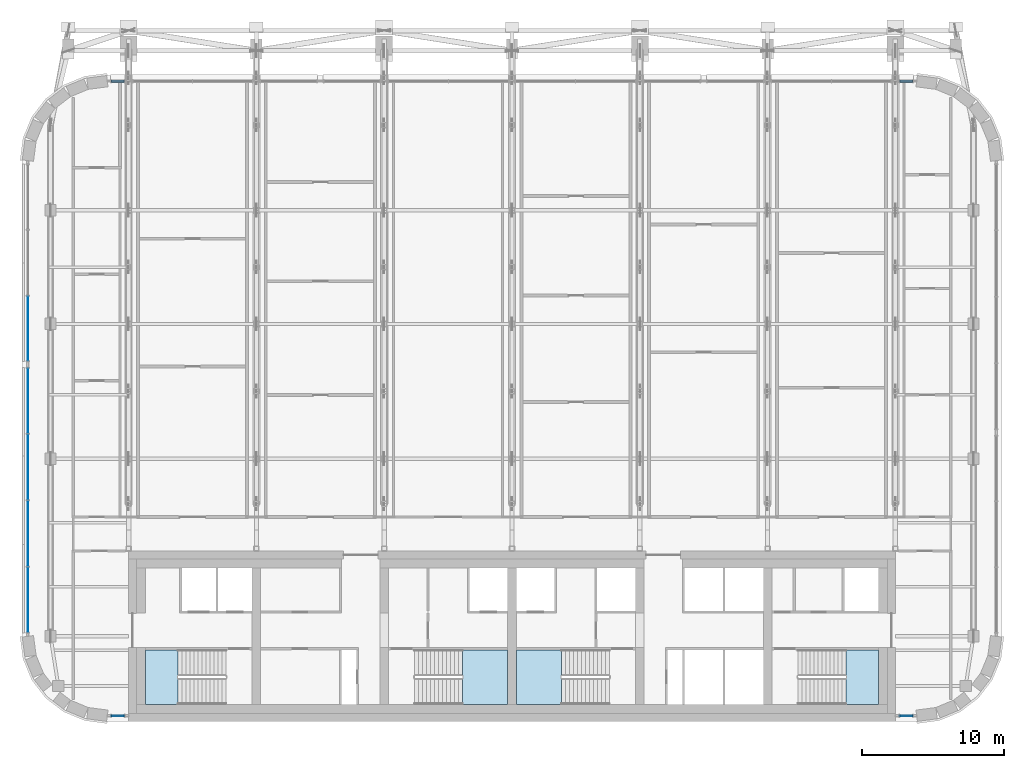
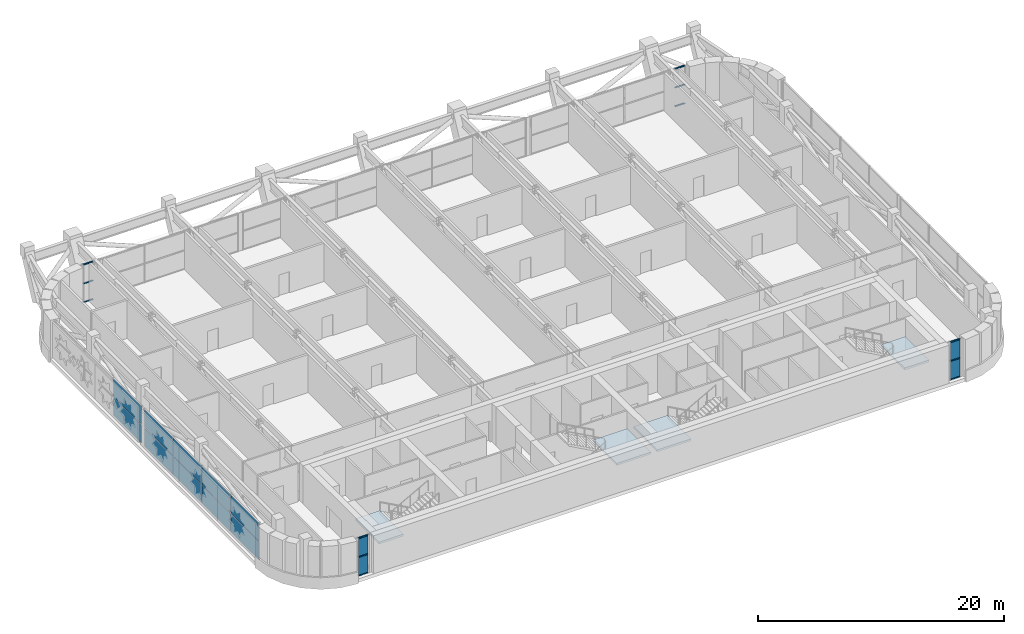
# One storey, part 15 of 28: 14 plates, 12 members, 4 slabs, 10 elements without a shape of their own.
"""IFC4 building model written with IfcOpenShell, lengths in metres."""

from ifc_helpers import new_model, si_unit, direction, frame, origin, origin_2d, place, context, subcontext, project, spatial, polyline, rectangle, outline, extrude, material, layer, layer_set, material_profile, profile_set, type_object, element, aggregate, save


model = new_model("IFC4")

# Units and contexts
model_context = context("Model", 3, precision=1e-05, world=origin(), true_north=direction((0.0, 1.0)))
body_context = subcontext(model_context, "Body", "Model", "MODEL_VIEW")
ifc_project = project(units=[si_unit("LENGTHUNIT", "METRE"), si_unit("AREAUNIT", "SQUARE_METRE"), si_unit("VOLUMEUNIT", "CUBIC_METRE"), si_unit("PLANEANGLEUNIT", "RADIAN"), si_unit("MASSUNIT", "GRAM", prefix="KILO")], contexts=[model_context])

# Site, building, storey
site_placement = place(None, origin())
site = spatial("IfcSite", under=ifc_project, at=site_placement, CompositionType="ELEMENT")
building_placement = place(site_placement, origin())
building = spatial("IfcBuilding", under=site, at=building_placement, Name="Zellij Exchange Tower", CompositionType="ELEMENT")
storey_placement = place(building_placement, frame((0.0, 0.0, 268.5)))
storey = spatial("IfcBuildingStorey", under=building, at=storey_placement, Name="L63", CompositionType="ELEMENT", Elevation=268.5)

# Curtain wall, members
ifc_material_1 = material(Name="Aluminium frame, clear insulating glass", Category="aluminium")
curtain_wall_type = type_object("IfcCurtainWallType", Name="ENV-CW2 Outrigger-storey glazing", PredefinedType="NOTDEFINED", material=ifc_material_1)
curtain_wall_1_placement = place(storey_placement, origin())
curtain_wall_1 = element("IfcCurtainWall", 1, at=curtain_wall_1_placement, inside=storey, type_object=curtain_wall_type, Name="cw.L63.00a", PredefinedType="NOTDEFINED")
ifc_material_2 = material(Name="Aluminium", Category="aluminium")
ifc_material_profile = material_profile(ifc_material_2, rectangle(XDim=0.139892578125, YDim=0.06005859375, at=origin_2d()), Name="AL 140x60")
ifc_profile_set = profile_set([ifc_material_profile], Name="Aluminium")
member_type = type_object("IfcMemberType", Name="ENV-CW2T Transom 140x60", PredefinedType="USERDEFINED", material=ifc_profile_set)
member_1_placement = place(storey_placement, frame((-28.2138671875, -13.60009765625, 0.030029296875), z_axis=(1.0, 0.0, 0.0), x_axis=(0.0, 1.0, 0.0)))
member_1 = element("IfcMember", 2, at=member_1_placement, type_object=member_type, Name="CW2 transom 1.1", ObjectType="TRANSOM", PredefinedType="USERDEFINED", context=body_context, shape_type="SweptSolid", body=[
    extrude(rectangle(XDim=0.139892578125, YDim=0.06005859375, at=origin_2d()), origin(), (0.0, 0.0, 1.0), 0.90380859375),
])
member_2_placement = place(storey_placement, frame((-28.2138671875, -13.60009765625, 1.889892578125), z_axis=(1.0, 0.0, 0.0), x_axis=(0.0, 1.0, 0.0)))
member_2 = element("IfcMember", 3, at=member_2_placement, type_object=member_type, Name="CW2 transom 1.2", ObjectType="TRANSOM", PredefinedType="USERDEFINED", context=body_context, shape_type="SweptSolid", body=[
    extrude(rectangle(XDim=0.139892578125, YDim=0.06005859375, at=origin_2d()), origin(), (0.0, 0.0, 1.0), 0.90380859375),
])
member_3_placement = place(storey_placement, frame((-28.2138671875, -13.60009765625, 3.75), z_axis=(1.0, 0.0, 0.0), x_axis=(0.0, 1.0, 0.0)))
member_3 = element("IfcMember", 4, at=member_3_placement, type_object=member_type, Name="CW2 transom 1.3", ObjectType="TRANSOM", PredefinedType="USERDEFINED", context=body_context, shape_type="SweptSolid", body=[
    extrude(rectangle(XDim=0.139892578125, YDim=0.06005859375, at=origin_2d()), origin(), (0.0, 0.0, 1.0), 0.90380859375),
])

curtain_wall_2_placement = place(storey_placement, origin())
curtain_wall_2 = element("IfcCurtainWall", 5, at=curtain_wall_2_placement, inside=storey, type_object=curtain_wall_type, Name="cw.L63.00b", PredefinedType="NOTDEFINED")
member_4_placement = place(storey_placement, frame((27.31005859375, -13.60009765625, 0.030029296875), z_axis=(1.0, 0.0, 0.0), x_axis=(0.0, 1.0, 0.0)))
member_4 = element("IfcMember", 6, at=member_4_placement, type_object=member_type, Name="CW2 transom 1.1", ObjectType="TRANSOM", PredefinedType="USERDEFINED", context=body_context, shape_type="SweptSolid", body=[
    extrude(rectangle(XDim=0.139892578125, YDim=0.06005859375, at=origin_2d()), origin(), (0.0, 0.0, 1.0), 0.90380859375),
])
member_5_placement = place(storey_placement, frame((27.31005859375, -13.60009765625, 1.889892578125), z_axis=(1.0, 0.0, 0.0), x_axis=(0.0, 1.0, 0.0)))
member_5 = element("IfcMember", 7, at=member_5_placement, type_object=member_type, Name="CW2 transom 1.2", ObjectType="TRANSOM", PredefinedType="USERDEFINED", context=body_context, shape_type="SweptSolid", body=[
    extrude(rectangle(XDim=0.139892578125, YDim=0.06005859375, at=origin_2d()), origin(), (0.0, 0.0, 1.0), 0.90380859375),
])
member_6_placement = place(storey_placement, frame((27.31005859375, -13.60009765625, 3.75), z_axis=(1.0, 0.0, 0.0), x_axis=(0.0, 1.0, 0.0)))
member_6 = element("IfcMember", 8, at=member_6_placement, type_object=member_type, Name="CW2 transom 1.3", ObjectType="TRANSOM", PredefinedType="USERDEFINED", context=body_context, shape_type="SweptSolid", body=[
    extrude(rectangle(XDim=0.139892578125, YDim=0.06005859375, at=origin_2d()), origin(), (0.0, 0.0, 1.0), 0.90380859375),
])

curtain_wall_3_placement = place(storey_placement, origin())
curtain_wall_3 = element("IfcCurtainWall", 9, at=curtain_wall_3_placement, inside=storey, type_object=curtain_wall_type, Name="cw.L63.14a.a", PredefinedType="NOTDEFINED")
member_7_placement = place(storey_placement, frame((28.2138671875, 31.10009765625, 0.030029296875), z_axis=(-1.0, 0.0, 0.0), x_axis=(0.0, -1.0, 0.0)))
member_7 = element("IfcMember", 10, at=member_7_placement, type_object=member_type, Name="CW2 transom 1.1", ObjectType="TRANSOM", PredefinedType="USERDEFINED", context=body_context, shape_type="SweptSolid", body=[
    extrude(rectangle(XDim=0.139892578125, YDim=0.06005859375, at=origin_2d()), origin(), (0.0, 0.0, 1.0), 0.904052734375),
])
member_8_placement = place(storey_placement, frame((28.2138671875, 31.10009765625, 1.889892578125), z_axis=(-1.0, 0.0, 0.0), x_axis=(0.0, -1.0, 0.0)))
member_8 = element("IfcMember", 11, at=member_8_placement, type_object=member_type, Name="CW2 transom 1.2", ObjectType="TRANSOM", PredefinedType="USERDEFINED", context=body_context, shape_type="SweptSolid", body=[
    extrude(rectangle(XDim=0.139892578125, YDim=0.06005859375, at=origin_2d()), origin(), (0.0, 0.0, 1.0), 0.904052734375),
])
member_9_placement = place(storey_placement, frame((28.2138671875, 31.10009765625, 3.75), z_axis=(-1.0, 0.0, 0.0), x_axis=(0.0, -1.0, 0.0)))
member_9 = element("IfcMember", 12, at=member_9_placement, type_object=member_type, Name="CW2 transom 1.3", ObjectType="TRANSOM", PredefinedType="USERDEFINED", context=body_context, shape_type="SweptSolid", body=[
    extrude(rectangle(XDim=0.139892578125, YDim=0.06005859375, at=origin_2d()), origin(), (0.0, 0.0, 1.0), 0.904052734375),
])
aggregate(curtain_wall_3, [member_7, member_8, member_9])

curtain_wall_4_placement = place(storey_placement, origin())
curtain_wall_4 = element("IfcCurtainWall", 13, at=curtain_wall_4_placement, inside=storey, type_object=curtain_wall_type, Name="cw.L63.14d.c", PredefinedType="NOTDEFINED")
member_10_placement = place(storey_placement, frame((-27.309814453125, 31.10009765625, 0.030029296875), z_axis=(-1.0, 0.0, 0.0), x_axis=(0.0, -1.0, 0.0)))
member_10 = element("IfcMember", 14, at=member_10_placement, type_object=member_type, Name="CW2 transom 1.1", ObjectType="TRANSOM", PredefinedType="USERDEFINED", context=body_context, shape_type="SweptSolid", body=[
    extrude(rectangle(XDim=0.139892578125, YDim=0.06005859375, at=origin_2d()), origin(), (0.0, 0.0, 1.0), 0.904052734375),
])
member_11_placement = place(storey_placement, frame((-27.309814453125, 31.10009765625, 1.889892578125), z_axis=(-1.0, 0.0, 0.0), x_axis=(0.0, -1.0, 0.0)))
member_11 = element("IfcMember", 15, at=member_11_placement, type_object=member_type, Name="CW2 transom 1.2", ObjectType="TRANSOM", PredefinedType="USERDEFINED", context=body_context, shape_type="SweptSolid", body=[
    extrude(rectangle(XDim=0.139892578125, YDim=0.06005859375, at=origin_2d()), origin(), (0.0, 0.0, 1.0), 0.904052734375),
])
member_12_placement = place(storey_placement, frame((-27.309814453125, 31.10009765625, 3.75), z_axis=(-1.0, 0.0, 0.0), x_axis=(0.0, -1.0, 0.0)))
member_12 = element("IfcMember", 16, at=member_12_placement, type_object=member_type, Name="CW2 transom 1.3", ObjectType="TRANSOM", PredefinedType="USERDEFINED", context=body_context, shape_type="SweptSolid", body=[
    extrude(rectangle(XDim=0.139892578125, YDim=0.06005859375, at=origin_2d()), origin(), (0.0, 0.0, 1.0), 0.904052734375),
])
aggregate(curtain_wall_4, [member_10, member_11, member_12])

# Stair, slab
ifc_material_3 = material(Name="Concrete C40/50", Category="concrete")
stair_type = type_object("IfcStairType", Name="CORE-ST exit stair 1850 wide", PredefinedType="HALF_TURN_STAIR", material=ifc_material_3)
stair_1_placement = place(storey_placement, origin())
stair_1 = element("IfcStair", 17, at=stair_1_placement, inside=storey, type_object=stair_type, Name="L63 exit stair ST1", PredefinedType="HALF_TURN_STAIR")
ifc_layer_1 = layer(ifc_material_3, 0.199951171875)
ifc_layer_set_1 = layer_set([ifc_layer_1], Name="Concrete C40/50")
slab_type = type_object("IfcSlabType", Name="CORE-SL stair landing 200", PredefinedType="LANDING", material=ifc_layer_set_1)
slab_1_placement = place(storey_placement, frame((0.0, 0.0, 1.800048828125)))
slab_1 = element("IfcSlab", 18, at=slab_1_placement, type_object=slab_type, Name="ST1 landing 1", PredefinedType="LANDING", context=body_context, shape_type="SweptSolid", body=[
    extrude(outline(polyline([(-23.510009765625, -8.949951171875), (-25.800048828125, -8.949951171875), (-25.800048828125, -12.800048828125), (-23.510009765625, -12.800048828125), (-23.510009765625, -8.949951171875)])), origin(), (0.0, 0.0, 1.0), 0.199951171875),
])
aggregate(stair_1, [slab_1])

stair_2_placement = place(storey_placement, origin())
stair_2 = element("IfcStair", 19, at=stair_2_placement, inside=storey, type_object=stair_type, Name="L63 exit stair ST2", PredefinedType="HALF_TURN_STAIR")
slab_2_placement = place(storey_placement, frame((0.0, 0.0, 1.800048828125)))
slab_2 = element("IfcSlab", 20, at=slab_2_placement, type_object=slab_type, Name="ST2 landing 1", PredefinedType="LANDING", context=body_context, shape_type="SweptSolid", body=[
    extrude(outline(polyline([(-3.489990234375, -12.800048828125), (-0.300048828125, -12.800048828125), (-0.300048828125, -8.949951171875), (-3.489990234375, -8.949951171875), (-3.489990234375, -12.800048828125)])), origin(), (0.0, 0.0, 1.0), 0.199951171875),
])
aggregate(stair_2, [slab_2])

stair_3_placement = place(storey_placement, origin())
stair_3 = element("IfcStair", 21, at=stair_3_placement, inside=storey, type_object=stair_type, Name="L63 exit stair ST3", PredefinedType="HALF_TURN_STAIR")
slab_3_placement = place(storey_placement, frame((0.0, 0.0, 1.800048828125)))
slab_3 = element("IfcSlab", 22, at=slab_3_placement, type_object=slab_type, Name="ST3 landing 1", PredefinedType="LANDING", context=body_context, shape_type="SweptSolid", body=[
    extrude(outline(polyline([(3.489990234375, -8.949951171875), (0.300048828125, -8.949951171875), (0.300048828125, -12.800048828125), (3.489990234375, -12.800048828125), (3.489990234375, -8.949951171875)])), origin(), (0.0, 0.0, 1.0), 0.199951171875),
])
aggregate(stair_3, [slab_3])

stair_4_placement = place(storey_placement, origin())
stair_4 = element("IfcStair", 23, at=stair_4_placement, inside=storey, type_object=stair_type, Name="L63 exit stair ST4", PredefinedType="HALF_TURN_STAIR")
slab_4_placement = place(storey_placement, frame((0.0, 0.0, 1.800048828125)))
slab_4 = element("IfcSlab", 24, at=slab_4_placement, type_object=slab_type, Name="ST4 landing 1", PredefinedType="LANDING", context=body_context, shape_type="SweptSolid", body=[
    extrude(outline(polyline([(23.510009765625, -12.800048828125), (25.800048828125, -12.800048828125), (25.800048828125, -8.949951171875), (23.510009765625, -8.949951171875), (23.510009765625, -12.800048828125)])), origin(), (0.0, 0.0, 1.0), 0.199951171875),
])
aggregate(stair_4, [slab_4])

# Curtain wall, plate
curtain_wall_5_placement = place(storey_placement, origin())
curtain_wall_5 = element("IfcCurtainWall", 25, at=curtain_wall_5_placement, inside=storey, type_object=curtain_wall_type, Name="cw.L63.21a", PredefinedType="NOTDEFINED")
ifc_material_4 = material(Name="Aluminium louvre", Category="aluminium")
ifc_layer_2 = layer(ifc_material_4, 0.031982421875)
ifc_layer_set_2 = layer_set([ifc_layer_2], Name="Aluminium louvre")
plate_type_1 = type_object("IfcPlateType", Name="ENV-CW2L Louvred panel 32", PredefinedType="CURTAIN_PANEL", material=ifc_layer_set_2)
plate_1_placement = place(storey_placement, frame((-34.10009765625, 13.676513671875, 0.06005859375), z_axis=(0.0, 0.0, 1.0), x_axis=(0.0, -1.0, 0.0)))
plate_1 = element("IfcPlate", 26, at=plate_1_placement, type_object=plate_type_1, Name="CW2 panel 3.1", PredefinedType="CURTAIN_PANEL", context=body_context, shape_type="SweptSolid", body=[
    extrude(rectangle(XDim=4.554931640625, YDim=0.031982421875, at=origin_2d()), origin(), (0.0, 0.0, 1.0), 1.800048828125),
])

# Curtain wall, plates
curtain_wall_6_placement = place(storey_placement, origin())
curtain_wall_6 = element("IfcCurtainWall", 27, at=curtain_wall_6_placement, inside=storey, type_object=curtain_wall_type, Name="cw.L63.21b", PredefinedType="NOTDEFINED")
plate_2_placement = place(storey_placement, frame((-34.10009765625, 8.5849609375, 0.06005859375), z_axis=(0.0, 0.0, 1.0), x_axis=(0.0, -1.0, 0.0)))
plate_2 = element("IfcPlate", 28, at=plate_2_placement, type_object=plate_type_1, Name="CW2 panel 1.1", PredefinedType="CURTAIN_PANEL", context=body_context, shape_type="SweptSolid", body=[
    extrude(rectangle(XDim=4.588134765625, YDim=0.031982421875, at=origin_2d()), origin(), (0.0, 0.0, 1.0), 1.800048828125),
])
plate_3_placement = place(storey_placement, frame((-34.10009765625, 8.5849609375, 1.919921875), z_axis=(0.0, 0.0, 1.0), x_axis=(0.0, -1.0, 0.0)))
plate_3 = element("IfcPlate", 29, at=plate_3_placement, type_object=plate_type_1, Name="CW2 panel 1.2", PredefinedType="CURTAIN_PANEL", context=body_context, shape_type="SweptSolid", body=[
    extrude(rectangle(XDim=4.588134765625, YDim=0.031982421875, at=origin_2d()), origin(), (0.0, 0.0, 1.0), 1.800048828125),
])
plate_4_placement = place(storey_placement, frame((-34.10009765625, 3.921875, 1.919921875), z_axis=(0.0, 0.0, 1.0), x_axis=(0.0, -1.0, 0.0)))
plate_4 = element("IfcPlate", 30, at=plate_4_placement, type_object=plate_type_1, Name="CW2 panel 2.2", PredefinedType="CURTAIN_PANEL", context=body_context, shape_type="SweptSolid", body=[
    extrude(rectangle(XDim=4.6181640625, YDim=0.031982421875, at=origin_2d()), origin(), (0.0, 0.0, 1.0), 1.800048828125),
])
plate_5_placement = place(storey_placement, frame((-34.10009765625, -0.75634765625, 0.06005859375), z_axis=(0.0, 0.0, 1.0), x_axis=(0.0, -1.0, 0.0)))
plate_5 = element("IfcPlate", 31, at=plate_5_placement, type_object=plate_type_1, Name="CW2 panel 3.1", PredefinedType="CURTAIN_PANEL", context=body_context, shape_type="SweptSolid", body=[
    extrude(rectangle(XDim=4.6181640625, YDim=0.031982421875, at=origin_2d()), origin(), (0.0, 0.0, 1.0), 1.800048828125),
])
plate_6_placement = place(storey_placement, frame((-34.10009765625, -0.75634765625, 1.919921875), z_axis=(0.0, 0.0, 1.0), x_axis=(0.0, -1.0, 0.0)))
plate_6 = element("IfcPlate", 32, at=plate_6_placement, type_object=plate_type_1, Name="CW2 panel 3.2", PredefinedType="CURTAIN_PANEL", context=body_context, shape_type="SweptSolid", body=[
    extrude(rectangle(XDim=4.6181640625, YDim=0.031982421875, at=origin_2d()), origin(), (0.0, 0.0, 1.0), 1.800048828125),
])
plate_7_placement = place(storey_placement, frame((-34.10009765625, -5.419677734375, 0.06005859375), z_axis=(0.0, 0.0, 1.0), x_axis=(0.0, -1.0, 0.0)))
plate_7 = element("IfcPlate", 33, at=plate_7_placement, type_object=plate_type_1, Name="CW2 panel 4.1", PredefinedType="CURTAIN_PANEL", context=body_context, shape_type="SweptSolid", body=[
    extrude(rectangle(XDim=4.588134765625, YDim=0.031982421875, at=origin_2d()), origin(), (0.0, 0.0, 1.0), 1.800048828125),
])

# Plate
ifc_material_5 = material(Name="Insulating glass unit, clear", Category="glass")
ifc_layer_3 = layer(ifc_material_5, 0.031982421875)
ifc_layer_set_3 = layer_set([ifc_layer_3], Name="Insulating glass unit, clear")
plate_type_2 = type_object("IfcPlateType", Name="ENV-CW2P Glazed panel 32", PredefinedType="CURTAIN_PANEL", material=ifc_layer_set_3)
plate_8_placement = place(storey_placement, frame((-27.761962890625, -13.60009765625, 0.06005859375), z_axis=(0.0, 0.0, 1.0), x_axis=(1.0, 0.0, 0.0)))
plate_8 = element("IfcPlate", 34, at=plate_8_placement, type_object=plate_type_2, Name="CW2 panel 1.1", PredefinedType="CURTAIN_PANEL", context=body_context, shape_type="SweptSolid", body=[
    extrude(rectangle(XDim=0.90380859375, YDim=0.031982421875, at=origin_2d()), origin(), (0.0, 0.0, 1.0), 1.800048828125),
])

plate_9_placement = place(storey_placement, frame((-27.761962890625, -13.60009765625, 1.919921875), z_axis=(0.0, 0.0, 1.0), x_axis=(1.0, 0.0, 0.0)))
plate_9 = element("IfcPlate", 35, at=plate_9_placement, type_object=plate_type_2, Name="CW2 panel 1.2", PredefinedType="CURTAIN_PANEL", context=body_context, shape_type="SweptSolid", body=[
    extrude(rectangle(XDim=0.90380859375, YDim=0.031982421875, at=origin_2d()), origin(), (0.0, 0.0, 1.0), 1.800048828125),
])

aggregate(curtain_wall_1, [member_1, member_2, member_3, plate_8, plate_9])

plate_10_placement = place(storey_placement, frame((27.761962890625, -13.60009765625, 0.06005859375), z_axis=(0.0, 0.0, 1.0), x_axis=(1.0, 0.0, 0.0)))
plate_10 = element("IfcPlate", 36, at=plate_10_placement, type_object=plate_type_2, Name="CW2 panel 1.1", PredefinedType="CURTAIN_PANEL", context=body_context, shape_type="SweptSolid", body=[
    extrude(rectangle(XDim=0.90380859375, YDim=0.031982421875, at=origin_2d()), origin(), (0.0, 0.0, 1.0), 1.800048828125),
])

plate_11_placement = place(storey_placement, frame((27.761962890625, -13.60009765625, 1.919921875), z_axis=(0.0, 0.0, 1.0), x_axis=(1.0, 0.0, 0.0)))
plate_11 = element("IfcPlate", 37, at=plate_11_placement, type_object=plate_type_2, Name="CW2 panel 1.2", PredefinedType="CURTAIN_PANEL", context=body_context, shape_type="SweptSolid", body=[
    extrude(rectangle(XDim=0.90380859375, YDim=0.031982421875, at=origin_2d()), origin(), (0.0, 0.0, 1.0), 1.800048828125),
])

aggregate(curtain_wall_2, [member_4, member_5, member_6, plate_10, plate_11])

plate_12_placement = place(storey_placement, frame((-34.10009765625, 13.676513671875, 1.919921875), z_axis=(0.0, 0.0, 1.0), x_axis=(0.0, -1.0, 0.0)))
plate_12 = element("IfcPlate", 38, at=plate_12_placement, type_object=plate_type_2, Name="CW2 panel 3.2", PredefinedType="CURTAIN_PANEL", context=body_context, shape_type="SweptSolid", body=[
    extrude(rectangle(XDim=4.554931640625, YDim=0.031982421875, at=origin_2d()), origin(), (0.0, 0.0, 1.0), 1.800048828125),
])

aggregate(curtain_wall_5, [plate_1, plate_12])

plate_13_placement = place(storey_placement, frame((-34.10009765625, 3.921875, 0.06005859375), z_axis=(0.0, 0.0, 1.0), x_axis=(0.0, -1.0, 0.0)))
plate_13 = element("IfcPlate", 39, at=plate_13_placement, type_object=plate_type_2, Name="CW2 panel 2.1", PredefinedType="CURTAIN_PANEL", context=body_context, shape_type="SweptSolid", body=[
    extrude(rectangle(XDim=4.6181640625, YDim=0.031982421875, at=origin_2d()), origin(), (0.0, 0.0, 1.0), 1.800048828125),
])

plate_14_placement = place(storey_placement, frame((-34.10009765625, -5.419677734375, 1.919921875), z_axis=(0.0, 0.0, 1.0), x_axis=(0.0, -1.0, 0.0)))
plate_14 = element("IfcPlate", 40, at=plate_14_placement, type_object=plate_type_2, Name="CW2 panel 4.2", PredefinedType="CURTAIN_PANEL", context=body_context, shape_type="SweptSolid", body=[
    extrude(rectangle(XDim=4.588134765625, YDim=0.031982421875, at=origin_2d()), origin(), (0.0, 0.0, 1.0), 1.800048828125),
])

aggregate(curtain_wall_6, [plate_2, plate_3, plate_13, plate_4, plate_5, plate_6, plate_7, plate_14])

save(model, "model.ifc")
